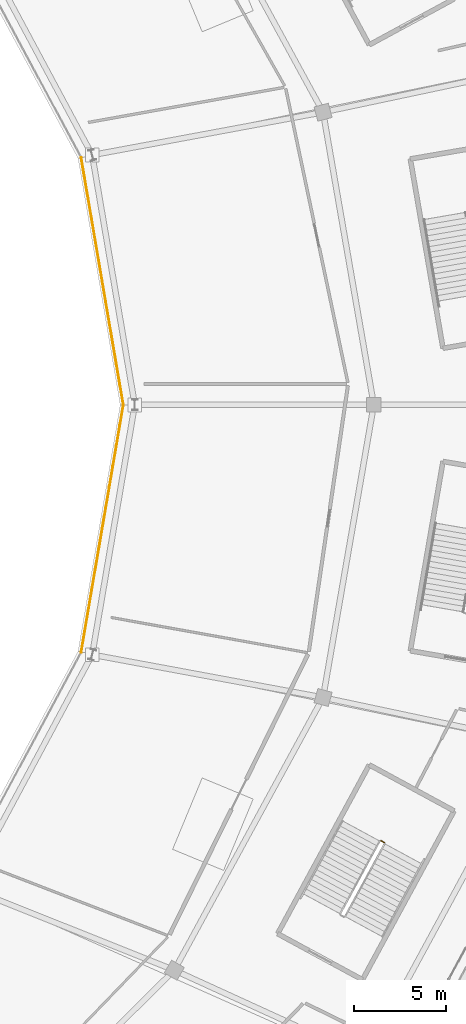
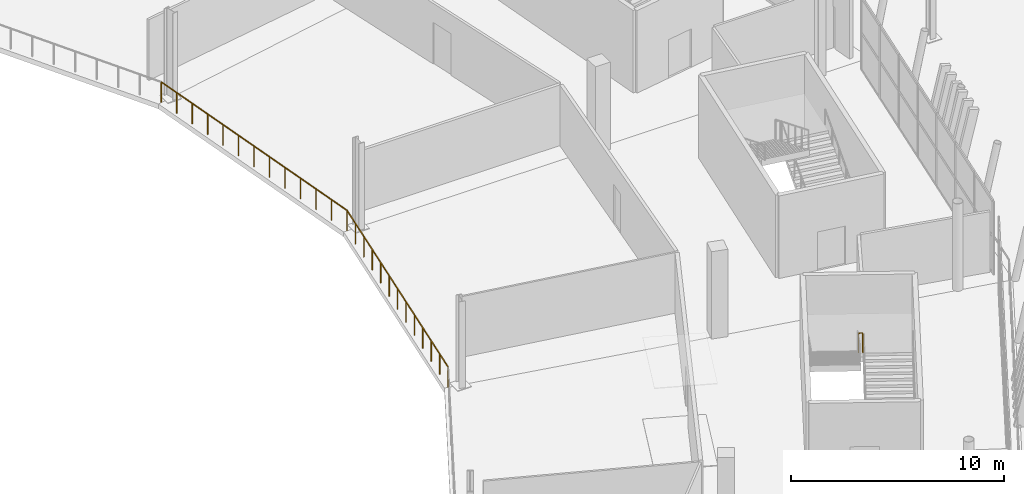
# One storey, part 165 of 179: 3 railings.
"""IFC4 building model written with IfcOpenShell, lengths in metres."""

from ifc_helpers import new_model, si_unit, direction, frame, origin, origin_2d, place, context, subcontext, project, spatial, rectangle, extrude, material, type_object, element, save


model = new_model("IFC4")

# Units and contexts
model_context = context("Model", 3, precision=1e-05, world=origin(), true_north=direction((0.0, 1.0)))
body_context = subcontext(model_context, "Body", "Model", "MODEL_VIEW")
ifc_project = project(units=[si_unit("LENGTHUNIT", "METRE"), si_unit("AREAUNIT", "SQUARE_METRE"), si_unit("VOLUMEUNIT", "CUBIC_METRE"), si_unit("PLANEANGLEUNIT", "RADIAN"), si_unit("MASSUNIT", "GRAM", prefix="KILO")], contexts=[model_context])

# Site, building, storey
site_placement = place(None, origin())
site = spatial("IfcSite", under=ifc_project, at=site_placement, CompositionType="ELEMENT")
building_placement = place(site_placement, origin())
building = spatial("IfcBuilding", under=site, at=building_placement, Name="Zlatoyarsky Gate Stadium", CompositionType="ELEMENT")
storey_placement = place(building_placement, frame((0.0, 0.0, 10.60009765625)))
storey = spatial("IfcBuildingStorey", under=building, at=storey_placement, Name="L02", CompositionType="ELEMENT", Elevation=10.60009765625)

# Railings
ifc_material_1 = material(Name="Powder-coated steel tubular guardrail", Category="steel")
railing_type_1 = type_object("IfcRailingType", Name="CONCOURSE SLAB EDGE GUARDRAIL 1200", PredefinedType="GUARDRAIL", material=ifc_material_1)
railing_1_placement = place(storey_placement, frame((178.3798828125, 80.0, 0.0)))
element("IfcRailing", 1, at=railing_1_placement, inside=storey, type_object=railing_type_1, Name="L02 inner bowl edge guardrail 00", PredefinedType="GUARDRAIL", context=body_context, shape_type="SweptSolid", body=[
    extrude(rectangle(XDim=0.048095703125, YDim=0.048095703125, at=origin_2d()), frame((0.0, 0.0, 1.17578125), z_axis=(-0.16822396726, 0.98574880007, 0.0), x_axis=(-0.98574880007, -0.16822396726, 0.0)), (0.0, 0.0, 1.0), 13.64794921875),
    extrude(rectangle(XDim=0.0419921875, YDim=0.0419921875, at=origin_2d()), origin(), (0.0, 0.0, 1.0), 1.15185546875),
    extrude(rectangle(XDim=0.0419921875, YDim=0.0419921875, at=origin_2d()), frame((-0.19140625, 1.12109375, 0.0)), (0.0, 0.0, 1.0), 1.15185546875),
    extrude(rectangle(XDim=0.0419921875, YDim=0.0419921875, at=origin_2d()), frame((-0.382568359375, 2.2421875, 0.0)), (0.0, 0.0, 1.0), 1.15185546875),
    extrude(rectangle(XDim=0.0419921875, YDim=0.0419921875, at=origin_2d()), frame((-0.573974609375, 3.36328125, 0.0)), (0.0, 0.0, 1.0), 1.15185546875),
    extrude(rectangle(XDim=0.0419921875, YDim=0.0419921875, at=origin_2d()), frame((-0.765380859375, 4.484375, 0.0)), (0.0, 0.0, 1.0), 1.15185546875),
    extrude(rectangle(XDim=0.0419921875, YDim=0.0419921875, at=origin_2d()), frame((-0.95654296875, 5.60546875, 0.0)), (0.0, 0.0, 1.0), 1.15185546875),
    extrude(rectangle(XDim=0.0419921875, YDim=0.0419921875, at=origin_2d()), frame((-1.14794921875, 6.7265625, 0.0)), (0.0, 0.0, 1.0), 1.15185546875),
    extrude(rectangle(XDim=0.0419921875, YDim=0.0419921875, at=origin_2d()), frame((-1.33935546875, 7.847900390625, 0.0)), (0.0, 0.0, 1.0), 1.15185546875),
    extrude(rectangle(XDim=0.0419921875, YDim=0.0419921875, at=origin_2d()), frame((-1.530517578125, 8.968994140625, 0.0)), (0.0, 0.0, 1.0), 1.15185546875),
    extrude(rectangle(XDim=0.0419921875, YDim=0.0419921875, at=origin_2d()), frame((-1.721923828125, 10.090087890625, 0.0)), (0.0, 0.0, 1.0), 1.15185546875),
    extrude(rectangle(XDim=0.0419921875, YDim=0.0419921875, at=origin_2d()), frame((-1.913330078125, 11.211181640625, 0.0)), (0.0, 0.0, 1.0), 1.15185546875),
    extrude(rectangle(XDim=0.0419921875, YDim=0.0419921875, at=origin_2d()), frame((-2.1044921875, 12.332275390625, 0.0)), (0.0, 0.0, 1.0), 1.15185546875),
    extrude(rectangle(XDim=0.0419921875, YDim=0.0419921875, at=origin_2d()), frame((-2.2958984375, 13.453369140625, 0.0)), (0.0, 0.0, 1.0), 1.15185546875),
])
railing_2_placement = place(storey_placement, frame((176.083984375, 66.546630859375, 0.0)))
element("IfcRailing", 2, at=railing_2_placement, inside=storey, type_object=railing_type_1, Name="L02 inner bowl edge guardrail 23", PredefinedType="GUARDRAIL", context=body_context, shape_type="SweptSolid", body=[
    extrude(rectangle(XDim=0.048095703125, YDim=0.048095703125, at=origin_2d()), frame((0.0, 0.0, 1.17578125), z_axis=(0.16822396726, 0.98574880007, 0.0), x_axis=(-0.98574880007, 0.16822396726, 0.0)), (0.0, 0.0, 1.0), 13.64794921875),
    extrude(rectangle(XDim=0.0419921875, YDim=0.0419921875, at=origin_2d()), origin(), (0.0, 0.0, 1.0), 1.15185546875),
    extrude(rectangle(XDim=0.0419921875, YDim=0.0419921875, at=origin_2d()), frame((0.19140625, 1.12109375, 0.0)), (0.0, 0.0, 1.0), 1.15185546875),
    extrude(rectangle(XDim=0.0419921875, YDim=0.0419921875, at=origin_2d()), frame((0.382568359375, 2.2421875, 0.0)), (0.0, 0.0, 1.0), 1.15185546875),
    extrude(rectangle(XDim=0.0419921875, YDim=0.0419921875, at=origin_2d()), frame((0.573974609375, 3.36328125, 0.0)), (0.0, 0.0, 1.0), 1.15185546875),
    extrude(rectangle(XDim=0.0419921875, YDim=0.0419921875, at=origin_2d()), frame((0.765380859375, 4.484375, 0.0)), (0.0, 0.0, 1.0), 1.15185546875),
    extrude(rectangle(XDim=0.0419921875, YDim=0.0419921875, at=origin_2d()), frame((0.95654296875, 5.60546875, 0.0)), (0.0, 0.0, 1.0), 1.15185546875),
    extrude(rectangle(XDim=0.0419921875, YDim=0.0419921875, at=origin_2d()), frame((1.14794921875, 6.7265625, 0.0)), (0.0, 0.0, 1.0), 1.15185546875),
    extrude(rectangle(XDim=0.0419921875, YDim=0.0419921875, at=origin_2d()), frame((1.33935546875, 7.847900390625, 0.0)), (0.0, 0.0, 1.0), 1.15185546875),
    extrude(rectangle(XDim=0.0419921875, YDim=0.0419921875, at=origin_2d()), frame((1.530517578125, 8.968994140625, 0.0)), (0.0, 0.0, 1.0), 1.15185546875),
    extrude(rectangle(XDim=0.0419921875, YDim=0.0419921875, at=origin_2d()), frame((1.721923828125, 10.090087890625, 0.0)), (0.0, 0.0, 1.0), 1.15185546875),
    extrude(rectangle(XDim=0.0419921875, YDim=0.0419921875, at=origin_2d()), frame((1.913330078125, 11.211181640625, 0.0)), (0.0, 0.0, 1.0), 1.15185546875),
    extrude(rectangle(XDim=0.0419921875, YDim=0.0419921875, at=origin_2d()), frame((2.1044921875, 12.332275390625, 0.0)), (0.0, 0.0, 1.0), 1.15185546875),
    extrude(rectangle(XDim=0.0419921875, YDim=0.0419921875, at=origin_2d()), frame((2.2958984375, 13.453369140625, 0.0)), (0.0, 0.0, 1.0), 1.15185546875),
])
ifc_material_2 = material(Name="Powder-coated steel stair guardrail", Category="steel")
railing_type_2 = type_object("IfcRailingType", Name="PAINTED STEEL STAIR WELL GUARDRAIL 1150", PredefinedType="GUARDRAIL", material=ifc_material_2)
railing_3_placement = place(storey_placement, frame((192.563232421875, 56.197998046875, 2.5)))
element("IfcRailing", 3, at=railing_3_placement, inside=storey, type_object=railing_type_2, Name="ST-12 L02 stair guard 2", PredefinedType="GUARDRAIL", context=body_context, shape_type="SweptSolid", body=[
    extrude(rectangle(XDim=0.048095703125, YDim=0.048095703125, at=origin_2d()), frame((0.0, 0.0, 1.1259765625), z_axis=(-0.878780312785, 0.477226530971, 0.0), x_axis=(-0.477226530971, -0.878780312785, 0.0)), (0.0, 0.0, 1.0), 0.199951171875),
    extrude(rectangle(XDim=0.0419921875, YDim=0.0419921875, at=origin_2d()), origin(), (0.0, 0.0, 1.0), 1.101806640625),
    extrude(rectangle(XDim=0.0419921875, YDim=0.0419921875, at=origin_2d()), frame((-0.17578125, 0.095458984375, 0.0)), (0.0, 0.0, 1.0), 1.101806640625),
])

save(model, "model.ifc")
